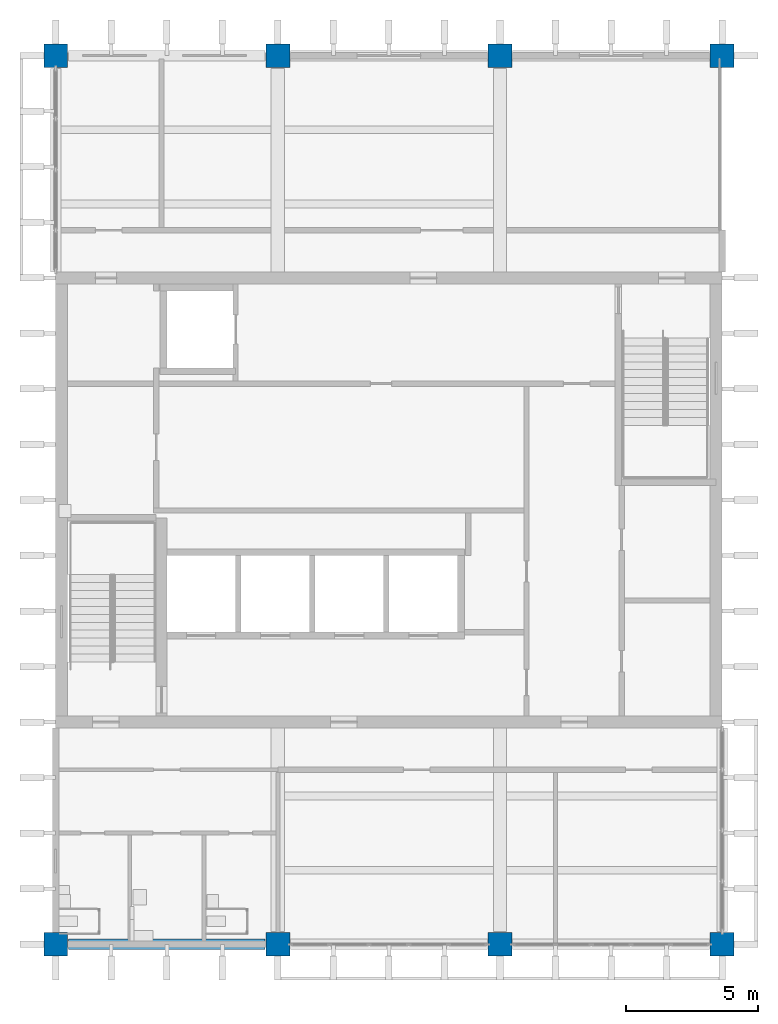
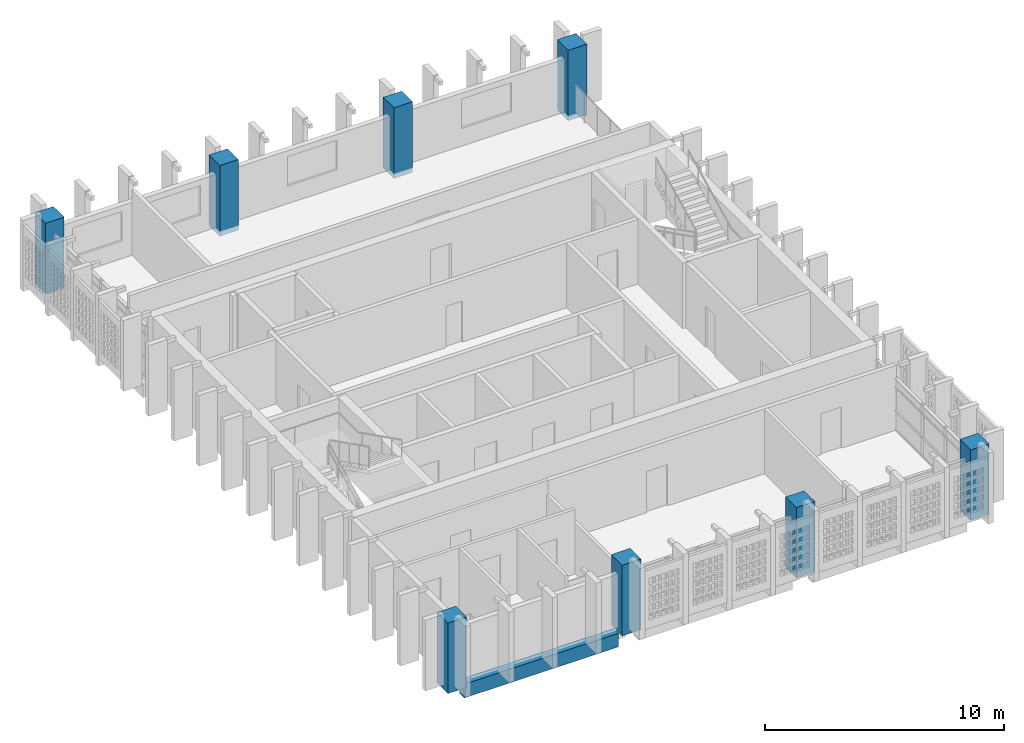
# One storey, part 1 of 13: 8 columns, 1 beam.
"""IFC4 building model written with IfcOpenShell, lengths in metres."""

from ifc_helpers import new_model, si_unit, direction, frame, origin, origin_2d, place, context, subcontext, project, spatial, rectangle, extrude, material, material_profile, profile_set, type_object, element, save


model = new_model("IFC4")

# Units and contexts
model_context = context("Model", 3, precision=1e-05, world=origin(), true_north=direction((0.0, 1.0)))
body_context = subcontext(model_context, "Body", "Model", "MODEL_VIEW")
ifc_project = project(units=[si_unit("LENGTHUNIT", "METRE"), si_unit("AREAUNIT", "SQUARE_METRE"), si_unit("VOLUMEUNIT", "CUBIC_METRE"), si_unit("PLANEANGLEUNIT", "RADIAN"), si_unit("MASSUNIT", "GRAM", prefix="KILO")], contexts=[model_context])

# Site, building, storey
site_placement = place(None, origin())
site = spatial("IfcSite", under=ifc_project, at=site_placement, CompositionType="ELEMENT")
building_placement = place(site_placement, origin())
building = spatial("IfcBuilding", under=site, at=building_placement, Name="Rulbaag Community and Learning Centre", CompositionType="ELEMENT")
storey_placement = place(building_placement, frame((0.0, 0.0, 25.199951171875)))
storey = spatial("IfcBuildingStorey", under=building, at=storey_placement, Name="L06", CompositionType="ELEMENT", Elevation=25.199951171875)

# Columns
ifc_material_1 = material(Name="Concrete M60", Category="concrete")
ifc_material_profile_1 = material_profile(ifc_material_1, rectangle(XDim=0.89990234375, YDim=0.89990234375, at=origin_2d()), Name="RC900x900")
ifc_profile_set_1 = profile_set([ifc_material_profile_1], Name="Concrete M60")
column_type = type_object("IfcColumnType", Name="C2 Column 900x900 Concrete M60", PredefinedType="COLUMN", material=ifc_profile_set_1)
for number, where, z_axis, x_axis, name in (
    (1, (142.800048828125, 84.0, -0.25), (0.0, 0.0, 1.0), (1.0, 0.0, 0.0), "COL-18K-L06"),
    (2, (142.800048828125, 117.60009765625, -0.25), (0.0, 0.0, 1.0), (1.0, 0.0, 0.0), "COL-18O-L06"),
    (3, (151.199951171875, 84.0, -0.25), (0.0, 0.0, 1.0), (1.0, 0.0, 0.0), "COL-19K-L06"),
    (4, (151.199951171875, 117.60009765625, -0.25), (0.0, 0.0, 1.0), (1.0, 0.0, 0.0), "COL-19O-L06"),
    (5, (159.60009765625, 84.0, -0.25), (0.0, 0.0, 1.0), (1.0, 0.0, 0.0), "COL-20K-L06"),
    (6, (159.60009765625, 117.60009765625, -0.25), (0.0, 0.0, 1.0), (1.0, 0.0, 0.0), "COL-20O-L06"),
    (7, (168.0, 84.0, -0.25), (0.0, 0.0, 1.0), (1.0, 0.0, 0.0), "COL-21K-L06"),
    (8, (168.0, 117.60009765625, -0.25), (0.0, 0.0, 1.0), (1.0, 0.0, 0.0), "COL-21O-L06"),
):
    element("IfcColumn", number, at=place(storey_placement, frame(where, z_axis=z_axis, x_axis=x_axis)), inside=storey, type_object=column_type, Name=name, PredefinedType="COLUMN", context=body_context, shape_type="SweptSolid", body=[
        extrude(rectangle(XDim=0.89990234375, YDim=0.89990234375, at=origin_2d()), origin(), (0.0, 0.0, 1.0), 3.60009765625),
    ])

# Beam
ifc_material_2 = material(Name="Concrete M40", Category="concrete")
ifc_material_profile_2 = material_profile(ifc_material_2, rectangle(XDim=0.39990234375, YDim=0.699951171875, at=origin_2d()), Name="RB400x700")
ifc_profile_set_2 = profile_set([ifc_material_profile_2], Name="Concrete M40")
beam_type = type_object("IfcBeamType", Name="B17 Tower edge beam, lower zone 400x700 Concrete M40", PredefinedType="BEAM", material=ifc_profile_set_2)
beam_placement = place(storey_placement, frame((143.280029296875, 84.0, -0.599853515625), z_axis=(1.0, 0.0, 0.0), x_axis=(0.0, 1.0, 0.0)))
element("IfcBeam", 9, at=beam_placement, inside=storey, type_object=beam_type, Name="BM-L06-18K-19K", PredefinedType="BEAM", context=body_context, shape_type="SweptSolid", body=[
    extrude(rectangle(XDim=0.39990234375, YDim=0.699951171875, at=origin_2d()), origin(), (0.0, 0.0, 1.0), 7.43994140625),
])

save(model, "model.ifc")
